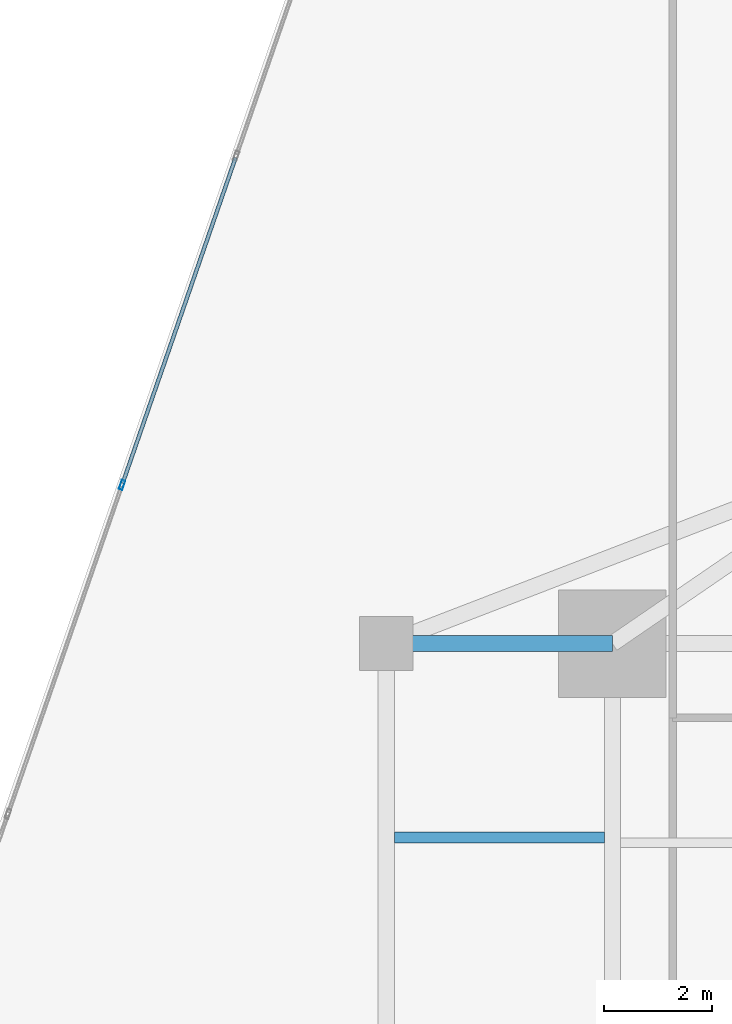
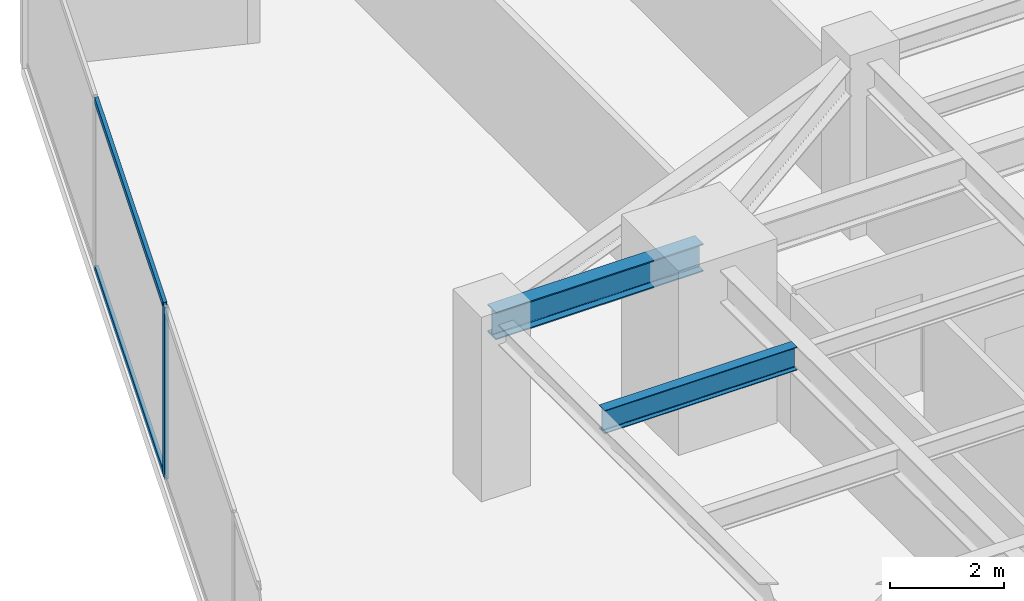
# One storey, part 15 of 27: 3 members, 2 beams, 1 element without a shape of its own.
"""IFC4 building model written with IfcOpenShell, lengths in metres."""

import ifcopenshell
import ifcopenshell.guid

model = None  # the IFC model being written
_history = None  # IfcOwnerHistory: only IFC2X3 demands one
_inside = {}  # id of a spatial element -> (the spatial element, [elements in it])
_under = {}  # id of a project, library or spatial element -> (it, [spatial elements below it])
_declared = {}  # id of a project -> (the project, [libraries it declares])
_typed = {}  # id of a type object -> (the type object, [elements of that type])
_made_of = {}  # id of a material, layer set ... -> (it, [elements and type objects made of it])


def new_model(schema):
    """Start an empty IFC model of exactly this schema.

    Asked for "IFC4X3", IfcOpenShell would pick the latest addendum, in which some entities
    have other attributes; the version numbers below select the first issue.
    IFC2X3 requires an IfcOwnerHistory on every rooted entity: one is made here for all.
    """
    global model, _history
    if schema == "IFC4X3":
        model = ifcopenshell.file(schema_version=(4, 3, 0, 0))
    else:
        model = ifcopenshell.file(schema=schema)
    _inside.clear()
    _under.clear()
    _declared.clear()
    _typed.clear()
    _made_of.clear()
    _history = None
    if model.schema == "IFC2X3":
        org = make("IfcOrganization", Name="unknown")
        user = make(
            "IfcPersonAndOrganization",
            ThePerson=make("IfcPerson", FamilyName="unknown"),
            TheOrganization=org,
        )
        app = make(
            "IfcApplication",
            ApplicationDeveloper=org,
            Version="unknown",
            ApplicationFullName="unknown",
            ApplicationIdentifier="unknown",
        )
        _history = make(
            "IfcOwnerHistory",
            OwningUser=user,
            OwningApplication=app,
            ChangeAction="ADDED",
            CreationDate=0,
        )
    return model


def make(cls, **values):
    """One entity of the class cls with the attributes given. An attribute that is None is left unset."""
    return model.create_entity(
        cls, **{name: value for name, value in values.items() if value is not None}
    )


def rooted(cls, **values):
    """An entity with a GlobalId (a new one), such as an element, a storey or a relation."""
    return make(cls, GlobalId=ifcopenshell.guid.new(), OwnerHistory=_history, **values)


def si_unit(unit_type, name, prefix=None):
    """IfcSIUnit, for example si_unit("LENGTHUNIT", "METRE", prefix="MILLI")."""
    return make("IfcSIUnit", UnitType=unit_type, Prefix=prefix, Name=name)


def assignment(units):
    """IfcUnitAssignment: the units of a project."""
    return None if units is None else make("IfcUnitAssignment", Units=units)


def point(xyz):
    """IfcCartesianPoint."""
    return None if xyz is None else make("IfcCartesianPoint", Coordinates=xyz)


def direction(xyz):
    """IfcDirection."""
    return None if xyz is None else make("IfcDirection", DirectionRatios=xyz)


def frame(location, z_axis=None, x_axis=None):
    """IfcAxis2Placement3D, a coordinate frame: its origin and axes. An axis left out is left unset."""
    return make(
        "IfcAxis2Placement3D",
        Location=point(location),
        Axis=direction(z_axis),
        RefDirection=direction(x_axis),
    )


def frame_2d(location, x_axis=None):
    """IfcAxis2Placement2D, a coordinate frame in the plane: its origin and x axis."""
    return make(
        "IfcAxis2Placement2D", Location=point(location), RefDirection=direction(x_axis)
    )


def origin():
    """The frame at (0, 0, 0) with its axes left unset."""
    return frame((0.0, 0.0, 0.0))


def origin_2d():
    """The frame at (0, 0) in the plane with its x axis left unset."""
    return frame_2d((0.0, 0.0))


def place(relative_to, where):
    """IfcLocalPlacement: puts the frame where relative to a parent placement (None: the world)."""
    return make(
        "IfcLocalPlacement", PlacementRelTo=relative_to, RelativePlacement=where
    )


def context(
    kind, dimensions, precision=None, world=None, true_north=None, identifier=None
):
    """IfcGeometricRepresentationContext, for example the 3D "Model" context."""
    return make(
        "IfcGeometricRepresentationContext",
        ContextIdentifier=identifier,
        ContextType=kind,
        CoordinateSpaceDimension=dimensions,
        Precision=precision,
        WorldCoordinateSystem=world,
        TrueNorth=true_north,
    )


def subcontext(parent, identifier, kind, view, scale=None):
    """IfcGeometricRepresentationSubContext, for example "Body" below "Model"."""
    return make(
        "IfcGeometricRepresentationSubContext",
        ContextIdentifier=identifier,
        ContextType=kind,
        ParentContext=parent,
        TargetScale=scale,
        TargetView=view,
    )


def project(units=None, contexts=None):
    """IfcProject with its units and contexts."""
    return rooted(
        "IfcProject",
        Name="project",
        RepresentationContexts=contexts,
        UnitsInContext=assignment(units),
    )


def spatial(cls, under=None, at=None, **own):
    """A site, building, storey or space (cls), placed at a placement, below another one or the project."""
    s = rooted(cls, ObjectPlacement=at, **own)
    if under is not None:
        _under.setdefault(under.id(), (under, []))[1].append(s)
    return s


def profile(cls, at=None, kind="AREA", **sizes):
    """A parametric profile (cls). Its sizes go by their IFC names, for example OverallWidth=200.0."""
    return make(cls, ProfileType=kind, Position=at, **sizes)


def hollow_rectangle(**sizes):
    """IfcRectangleHollowProfileDef."""
    return profile("IfcRectangleHollowProfileDef", **sizes)


def i_section(**sizes):
    """IfcIShapeProfileDef."""
    return profile("IfcIShapeProfileDef", **sizes)


def extrude(swept, where, along, depth):
    """IfcExtrudedAreaSolid: the profile swept, set in the frame where, extruded along a direction by depth."""
    return make(
        "IfcExtrudedAreaSolid",
        SweptArea=swept,
        Position=where,
        ExtrudedDirection=direction(along),
        Depth=depth,
    )


def shape(context_of_items, identifier, shape_type, items):
    """IfcShapeRepresentation: the items that make up one representation, for example the "Body"."""
    return make(
        "IfcShapeRepresentation",
        ContextOfItems=context_of_items,
        RepresentationIdentifier=identifier,
        RepresentationType=shape_type,
        Items=items,
    )


def source(mapping_origin, context_of_items, identifier, shape_type, items):
    """IfcRepresentationMap: a shape defined once, which mapped items show again and again."""
    return make(
        "IfcRepresentationMap",
        MappingOrigin=mapping_origin,
        MappedRepresentation=shape(context_of_items, identifier, shape_type, items),
    )


def transform(
    local_origin,
    x_axis=None,
    y_axis=None,
    z_axis=None,
    scale=None,
    scale2=None,
    scale3=None,
    uniform=True,
):
    """IfcCartesianTransformationOperator3D, or its non-uniform kind. x_axis, y_axis, z_axis: its Axis1, 2, 3."""
    if uniform:
        return make(
            "IfcCartesianTransformationOperator3D",
            Axis1=direction(x_axis),
            Axis2=direction(y_axis),
            LocalOrigin=point(local_origin),
            Scale=scale,
            Axis3=direction(z_axis),
        )
    return make(
        "IfcCartesianTransformationOperator3DnonUniform",
        Axis1=direction(x_axis),
        Axis2=direction(y_axis),
        LocalOrigin=point(local_origin),
        Scale=scale,
        Axis3=direction(z_axis),
        Scale2=scale2,
        Scale3=scale3,
    )


def mapped(mapping_source, mapping_target):
    """IfcMappedItem: shows the shape of a source again, moved by a transform."""
    return make(
        "IfcMappedItem", MappingSource=mapping_source, MappingTarget=mapping_target
    )


def material(Name=None, Category=None):
    """IfcMaterial."""
    return make("IfcMaterial", Name=Name, Category=Category)


def material_profile(
    of_material, cross_section, Name=None, Category=None, Priority=None
):
    """IfcMaterialProfile: a cross section and its material."""
    return make(
        "IfcMaterialProfile",
        Name=Name,
        Material=of_material,
        Profile=cross_section,
        Priority=Priority,
        Category=Category,
    )


def profile_set(profiles, Name=None, composite=None):
    """IfcMaterialProfileSet."""
    return make(
        "IfcMaterialProfileSet",
        Name=Name,
        MaterialProfiles=profiles,
        CompositeProfile=composite,
    )


def made_of(thing, what):
    """Note that an element or type object is made of a material, layer set ...; save() writes the relation."""
    if what is not None:
        _made_of.setdefault(what.id(), (what, []))[1].append(thing)
    return thing


def type_object(cls, material=None, **own):
    """A type object (cls), such as IfcWallType, which elements share."""
    return made_of(rooted(cls, **own), material)


def type_shapes(of_type, sources):
    """Give a type object the sources (RepresentationMaps) that its elements show as mapped items."""
    of_type.RepresentationMaps = sources


def element(
    cls,
    number,
    at=None,
    inside=None,
    cuts=None,
    type_object=None,
    material=None,
    context=None,
    identifier="Body",
    shape_type=None,
    held_by="IfcProductDefinitionShape",
    body=None,
    shapes=None,
    **own,
):
    """One element of the class cls, such as IfcWall. Its Tag is "e" and its number.

    at: its placement. inside: the storey or other place that contains it. cuts: it is an
    opening in that element (IfcRelVoidsElement). A single representation is given by context,
    identifier, shape_type and body (its items); several are given by shapes. held_by: the class
    of the entity that holds the representations. save() writes the other relations.
    """
    e = rooted(cls, Tag="e%d" % number, ObjectPlacement=at, **own)
    if body is not None:
        shapes = [shape(context, identifier, shape_type, body)]
    if shapes is not None:
        e.Representation = make(held_by, Representations=shapes)
    if inside is not None:
        _inside.setdefault(inside.id(), (inside, []))[1].append(e)
    if cuts is not None:
        rooted(
            "IfcRelVoidsElement", RelatingBuildingElement=cuts, RelatedOpeningElement=e
        )
    if type_object is not None:
        _typed.setdefault(type_object.id(), (type_object, []))[1].append(e)
    return made_of(e, material)


def aggregate(whole, parts):
    """IfcRelAggregates: a whole, such as a stair, and the parts it consists of."""
    return rooted("IfcRelAggregates", RelatingObject=whole, RelatedObjects=parts)


def save(model, path):
    """Write the relations noted so far, then the file.

    IfcRelAggregates (storeys below a building ...), IfcRelContainedInSpatialStructure (elements
    in a storey), IfcRelDefinesByType, IfcRelAssociatesMaterial and IfcRelDeclares: one each for
    every whole, place, type object, material and project.
    """
    for whole, parts in _under.values():
        aggregate(whole, parts)
    for where, things in _inside.values():
        rooted(
            "IfcRelContainedInSpatialStructure",
            RelatedElements=things,
            RelatingStructure=where,
        )
    for kind, things in _typed.values():
        rooted("IfcRelDefinesByType", RelatedObjects=things, RelatingType=kind)
    for what, things in _made_of.values():
        rooted("IfcRelAssociatesMaterial", RelatedObjects=things, RelatingMaterial=what)
    for by, libraries in _declared.values():
        rooted("IfcRelDeclares", RelatingContext=by, RelatedDefinitions=libraries)
    model.write(path)


model = new_model("IFC4")

# Units and contexts
model_context = context("Model", 3, precision=1e-05, world=origin(), true_north=direction((0.0, 1.0)))
body_context = subcontext(model_context, "Body", "Model", "MODEL_VIEW")
ifc_project = project(units=[si_unit("LENGTHUNIT", "METRE"), si_unit("AREAUNIT", "SQUARE_METRE"), si_unit("VOLUMEUNIT", "CUBIC_METRE"), si_unit("PLANEANGLEUNIT", "RADIAN"), si_unit("MASSUNIT", "GRAM", prefix="KILO")], contexts=[model_context])

# Site, building, storey
site_placement = place(None, origin())
site = spatial("IfcSite", under=ifc_project, at=site_placement, CompositionType="ELEMENT")
building_placement = place(site_placement, origin())
building = spatial("IfcBuilding", under=site, at=building_placement, Name="Krantzveldt Concourse Tower", CompositionType="ELEMENT")
storey_placement = place(building_placement, frame((0.0, 0.0, 125.60009765625)))
storey = spatial("IfcBuildingStorey", under=building, at=storey_placement, Name="L30", CompositionType="ELEMENT", Elevation=125.60009765625)

# Beams
ifc_material_1 = material(Name="Steel S355JR", Category="steel")
ifc_material_profile_1 = material_profile(ifc_material_1, i_section(OverallWidth=0.300048828125, OverallDepth=0.590087890625, WebThickness=0.012939453125, FlangeThickness=0.02490234375, FilletRadius=0.027099609375, at=origin_2d()), Name="Steel S355JR", Category="steel")
ifc_profile_set_1 = profile_set([ifc_material_profile_1], Name="Steel S355JR - HEA 600")
beam_type_1 = type_object("IfcBeamType", Name="BM-B-HEA600", PredefinedType="BEAM", material=ifc_profile_set_1)
shared_shape_1 = source(origin(), body_context, "Body", "SweptSolid", [
    extrude(i_section(OverallWidth=0.300048828125, OverallDepth=0.590087890625, WebThickness=0.012939453125, FlangeThickness=0.02490234375, FilletRadius=0.027099609375, at=origin_2d()), origin(), (0.0, 0.0, 1.0), 4.199951171875),
])
type_shapes(beam_type_1, [shared_shape_1])
beam_1_placement = place(storey_placement, frame((21.0, 37.5, 3.375), z_axis=(1.0, 0.0, 0.0), x_axis=(0.0, 1.0, 0.0)))
element("IfcBeam", 1, at=beam_1_placement, inside=storey, type_object=beam_type_1, Name="L30 Tower Girder BR-RL3", PredefinedType="BEAM", context=body_context, shape_type="MappedRepresentation", body=[
    mapped(shared_shape_1, transform((0.0, 0.0, 0.0), x_axis=(1.0, 0.0, 0.0), y_axis=(0.0, 1.0, 0.0), z_axis=(0.0, 0.0, 1.0), scale=1.0)),
])
ifc_material_profile_2 = material_profile(ifc_material_1, i_section(OverallWidth=0.199951171875, OverallDepth=0.5, WebThickness=0.01025390625, FlangeThickness=0.01611328125, FilletRadius=0.02099609375, at=origin_2d()), Name="Steel S355JR", Category="steel")
ifc_profile_set_2 = profile_set([ifc_material_profile_2], Name="Steel S355JR - IPE 500")
beam_type_2 = type_object("IfcBeamType", Name="BM-J-IPE500", PredefinedType="JOIST", material=ifc_profile_set_2)
shared_shape_2 = source(origin(), body_context, "Body", "SweptSolid", [
    extrude(i_section(OverallWidth=0.199951171875, OverallDepth=0.5, WebThickness=0.01025390625, FlangeThickness=0.01611328125, FilletRadius=0.02099609375, at=origin_2d()), origin(), (0.0, 0.0, 1.0), 3.900146484375),
])
type_shapes(beam_type_2, [shared_shape_2])
beam_2_placement = place(storey_placement, frame((21.14990234375, 33.89990234375, 3.419921875), z_axis=(1.0, 0.0, 0.0), x_axis=(0.0, 1.0, 0.0)))
element("IfcBeam", 2, at=beam_2_placement, inside=storey, type_object=beam_type_2, Name="L30 Secondary Floor Joist JW-4", PredefinedType="JOIST", context=body_context, shape_type="MappedRepresentation", body=[
    mapped(shared_shape_2, transform((0.0, 0.0, 0.0), x_axis=(1.0, 0.0, 0.0), y_axis=(0.0, 1.0, 0.0), z_axis=(0.0, 0.0, 1.0), scale=1.0)),
])

# Curtain wall, members
ifc_material_2 = material(Name="Anodised aluminium 6063-T6", Category="aluminium")
curtain_wall_type = type_object("IfcCurtainWallType", Name="CW2", PredefinedType="USERDEFINED", material=ifc_material_2)
curtain_wall_placement = place(storey_placement, origin())
curtain_wall = element("IfcCurtainWall", 3, at=curtain_wall_placement, inside=storey, type_object=curtain_wall_type, Name="CW-L30-F01", ObjectType="UNITISED CURTAIN WALL", PredefinedType="USERDEFINED")
ifc_material_profile_3 = material_profile(ifc_material_2, hollow_rectangle(XDim=0.070068359375, YDim=0.179931640625, WallThickness=0.0048828125, at=origin_2d()), Name="Anodised aluminium 6063-T6", Category="aluminium")
ifc_profile_set_3 = profile_set([ifc_material_profile_3], Name="Anodised aluminium 6063-T6 - ALU-MULL 180x70x5")
member_type_1 = type_object("IfcMemberType", Name="CW-MUL-180", PredefinedType="MULLION", material=ifc_profile_set_3)
shared_shape_3 = source(origin(), body_context, "Body", "SweptSolid", [
    extrude(hollow_rectangle(XDim=0.070068359375, YDim=0.179931640625, WallThickness=0.0048828125, at=origin_2d()), origin(), (0.0, 0.0, 1.0), 3.669921875),
])
type_shapes(member_type_1, [shared_shape_3])
member_1_placement = place(storey_placement, frame((16.09521484375, 40.44677734375, 0.0), z_axis=(0.0, 0.0, 1.0), x_axis=(0.944806041446, -0.32763019404, 0.0)))
member_1 = element("IfcMember", 4, at=member_1_placement, type_object=member_type_1, Name="CW-Z12 mullion 3", PredefinedType="MULLION", context=body_context, shape_type="MappedRepresentation", body=[
    mapped(shared_shape_3, transform((0.0, 0.0, 0.0), x_axis=(1.0, 0.0, 0.0), y_axis=(0.0, 1.0, 0.0), z_axis=(0.0, 0.0, 1.0), scale=1.0)),
])
ifc_material_profile_4 = material_profile(ifc_material_2, hollow_rectangle(XDim=0.070068359375, YDim=0.139892578125, WallThickness=0.0048828125, at=origin_2d()), Name="Anodised aluminium 6063-T6", Category="aluminium")
ifc_profile_set_4 = profile_set([ifc_material_profile_4], Name="Anodised aluminium 6063-T6 - ALU-TRAN 140x70x5")
member_type_2 = type_object("IfcMemberType", Name="CW-TRN-150", PredefinedType="USERDEFINED", material=ifc_profile_set_4)
shared_shape_4 = source(origin(), body_context, "Body", "SweptSolid", [
    extrude(hollow_rectangle(XDim=0.070068359375, YDim=0.139892578125, WallThickness=0.0048828125, at=origin_2d()), origin(), (0.0, 0.0, 1.0), 6.396484375),
])
type_shapes(member_type_2, [shared_shape_4])
member_2_placement = place(storey_placement, frame((18.202392578125, 46.5234375, 0.034912109375), z_axis=(-0.327632258054, -0.944805325706, 0.0), x_axis=(0.944805325706, -0.327632258054, 0.0)))
member_2 = element("IfcMember", 5, at=member_2_placement, type_object=member_type_2, Name="CW-Z12 transom 2.1", ObjectType="TRANSOM", PredefinedType="USERDEFINED", context=body_context, shape_type="MappedRepresentation", body=[
    mapped(shared_shape_4, transform((0.0, 0.0, 0.0), x_axis=(1.0, 0.0, 0.0), y_axis=(0.0, 1.0, 0.0), z_axis=(0.0, 0.0, 1.0), scale=1.0)),
])
member_3_placement = place(storey_placement, frame((18.202392578125, 46.5234375, 3.635009765625), z_axis=(-0.327632258054, -0.944805325706, 0.0), x_axis=(0.944805325706, -0.327632258054, 0.0)))
member_3 = element("IfcMember", 6, at=member_3_placement, type_object=member_type_2, Name="CW-Z12 transom 2.2", ObjectType="TRANSOM", PredefinedType="USERDEFINED", context=body_context, shape_type="MappedRepresentation", body=[
    mapped(shared_shape_4, transform((0.0, 0.0, 0.0), x_axis=(1.0, 0.0, 0.0), y_axis=(0.0, 1.0, 0.0), z_axis=(0.0, 0.0, 1.0), scale=1.0)),
])
aggregate(curtain_wall, [member_1, member_2, member_3])

save(model, "model.ifc")
